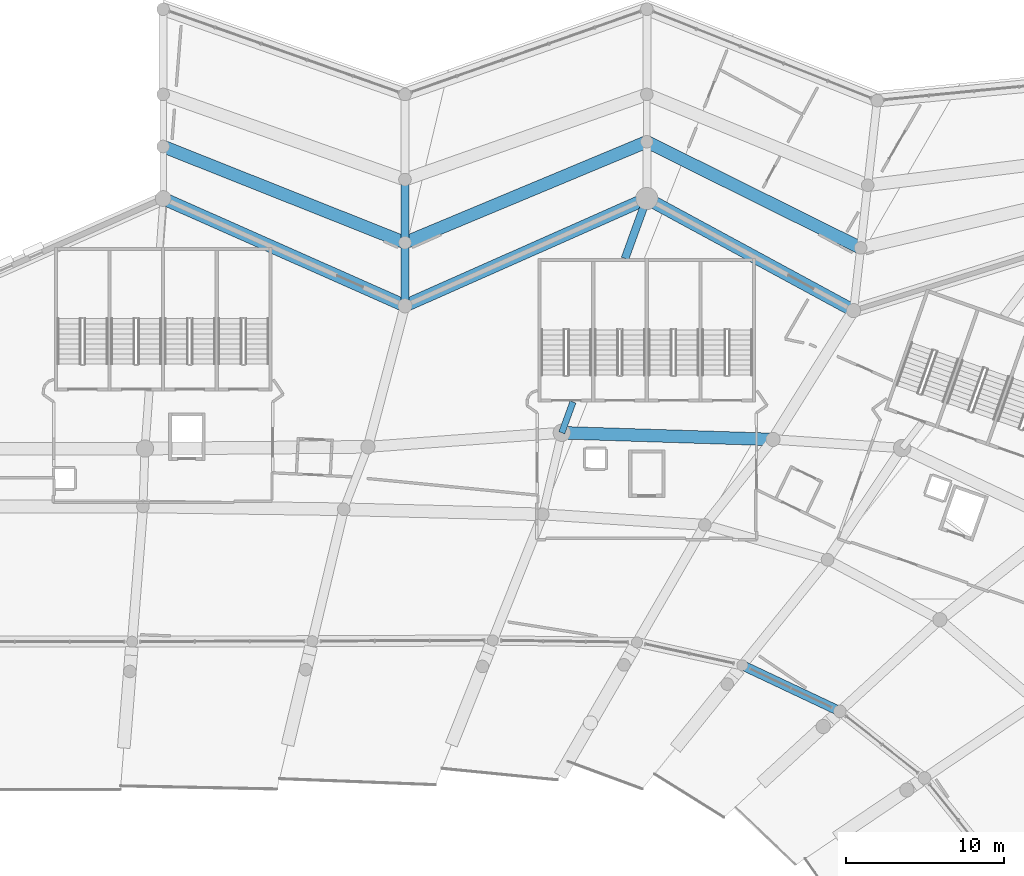
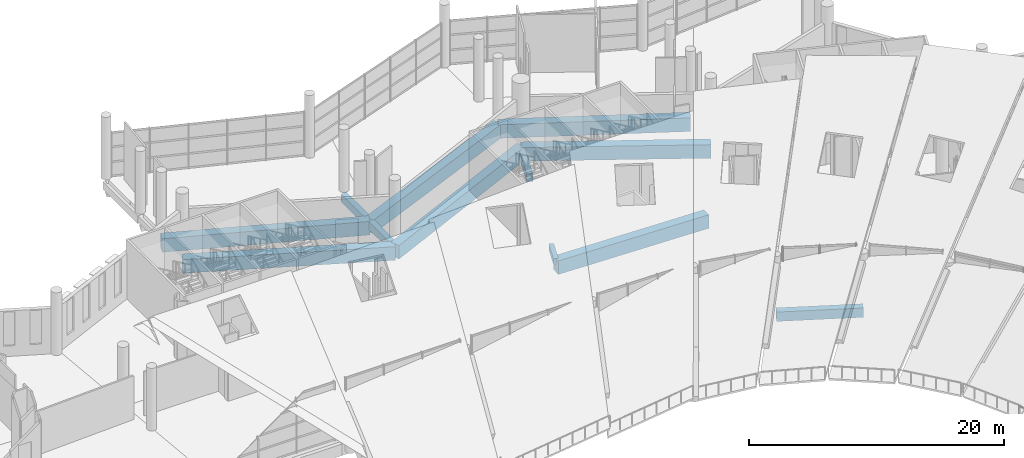
# One storey, part 88 of 249: 12 beams.
"""IFC4 building model written with IfcOpenShell, lengths in metres."""

from ifc_helpers import new_model, si_unit, direction, frame, origin, origin_2d, place, context, subcontext, project, spatial, rectangle, extrude, material, material_profile, profile_set, type_object, element, save


model = new_model("IFC4")

# Units and contexts
model_context = context("Model", 3, precision=1e-05, world=origin(), true_north=direction((0.0, 1.0)))
body_context = subcontext(model_context, "Body", "Model", "MODEL_VIEW")
ifc_project = project(units=[si_unit("LENGTHUNIT", "METRE"), si_unit("AREAUNIT", "SQUARE_METRE"), si_unit("VOLUMEUNIT", "CUBIC_METRE"), si_unit("PLANEANGLEUNIT", "RADIAN"), si_unit("MASSUNIT", "GRAM", prefix="KILO")], contexts=[model_context])

# Site, building, storey
site_placement = place(None, origin())
site = spatial("IfcSite", under=ifc_project, at=site_placement, CompositionType="ELEMENT")
building_placement = place(site_placement, origin())
building = spatial("IfcBuilding", under=site, at=building_placement, Name="Meseta Stadium", CompositionType="ELEMENT")
storey_placement = place(building_placement, frame((0.0, 0.0, 12.0)))
storey = spatial("IfcBuildingStorey", under=building, at=storey_placement, Name="L02", CompositionType="ELEMENT", Elevation=12.0)

# Beams
ifc_material_1 = material(Name="Concrete C40/50", Category="concrete")
ifc_material_profile_1 = material_profile(ifc_material_1, rectangle(XDim=0.39990234375, YDim=0.60009765625, at=origin_2d()), Name="RC 400x600")
ifc_profile_set_1 = profile_set([ifc_material_profile_1], Name="Concrete C40/50")
beam_type_1 = type_object("IfcBeamType", Name="RC beam 400x600", PredefinedType="BEAM", material=ifc_profile_set_1)
beam_1_placement = place(storey_placement, frame((32.944091796875, 90.551025390625, -0.64990234375), z_axis=(0.341128443291, 0.940016694095, 0.0), x_axis=(-0.940016694095, 0.341128443291, 0.0)))
element("IfcBeam", 1, at=beam_1_placement, inside=storey, type_object=beam_type_1, Name="L02 radial beam frame 16 line P to R", PredefinedType="BEAM", context=body_context, shape_type="SweptSolid", body=[
    extrude(rectangle(XDim=0.39990234375, YDim=0.60009765625, at=origin_2d()), origin(), (0.0, 0.0, 1.0), 2.0732421875),
])
ifc_material_2 = material(Name="Concrete C40/50", Category="concrete")
ifc_material_profile_2 = material_profile(ifc_material_2, rectangle(XDim=0.5, YDim=0.75, at=origin_2d()), Name="RC 500x750")
ifc_profile_set_2 = profile_set([ifc_material_profile_2], Name="Concrete C40/50")
beam_type_2 = type_object("IfcBeamType", Name="RC beam 500x750", PredefinedType="BEAM", material=ifc_profile_set_2)
beam_2_placement = place(storey_placement, frame((36.9541015625, 101.60009765625, -0.72509765625), z_axis=(0.341175633366, 0.939999567658, 0.0), x_axis=(-0.939999567658, 0.341175633366, 0.0)))
element("IfcBeam", 2, at=beam_2_placement, inside=storey, type_object=beam_type_2, Name="L02 radial beam frame 16 line P to R", PredefinedType="BEAM", context=body_context, shape_type="SweptSolid", body=[
    extrude(rectangle(XDim=0.5, YDim=0.75, at=origin_2d()), origin(), (0.0, 0.0, 1.0), 4.042236328125),
])
for number, where, z_axis, x_axis, name in (
    (3, (23.0, 98.60009765625, -0.72509765625), (0.0, 1.0, 0.0), (-1.0, 0.0, 0.0), "L02 radial beam frame 17 line R to M"),
    (4, (23.0, 102.60009765625, -0.72509765625), (0.0, 1.0, 0.0), (-1.0, 0.0, 0.0), "L02 radial beam frame 17 line M to Q"),
):
    element("IfcBeam", number, at=place(storey_placement, frame(where, z_axis=z_axis, x_axis=x_axis)), inside=storey, type_object=beam_type_2, Name=name, PredefinedType="BEAM", context=body_context, shape_type="SweptSolid", body=[
        extrude(rectangle(XDim=0.5, YDim=0.75, at=origin_2d()), origin(), (0.0, 0.0, 1.0), 4.0),
    ])
ifc_material_3 = material(Name="Concrete C40/50", Category="concrete")
ifc_material_profile_3 = material_profile(ifc_material_3, rectangle(XDim=0.60009765625, YDim=0.89990234375, at=origin_2d()), Name="RC 600x900")
ifc_profile_set_3 = profile_set([ifc_material_profile_3], Name="Concrete C40/50")
beam_type_3 = type_object("IfcBeamType", Name="RC beam 600x900", PredefinedType="BEAM", material=ifc_profile_set_3)
beam_3_placement = place(storey_placement, frame((50.571533203125, 72.888916015625, -0.800048828125), z_axis=(-0.904340564666, 0.426811601412, 0.0), x_axis=(-0.426811601412, -0.904340564666, 0.0)))
element("IfcBeam", 5, at=beam_3_placement, inside=storey, type_object=beam_type_3, Name="L02 ring beam frame 13 line D", PredefinedType="BEAM", context=body_context, shape_type="SweptSolid", body=[
    extrude(rectangle(XDim=0.60009765625, YDim=0.89990234375, at=origin_2d()), origin(), (0.0, 0.0, 1.0), 6.83544921875),
])
ifc_material_4 = material(Name="Concrete C40/50", Category="concrete")
ifc_material_profile_4 = material_profile(ifc_material_4, rectangle(XDim=0.800048828125, YDim=1.300048828125, at=origin_2d()), Name="RC 800x1300")
ifc_profile_set_4 = profile_set([ifc_material_profile_4], Name="Concrete C40/50")
beam_type_4 = type_object("IfcBeamType", Name="RC beam 800x1300", PredefinedType="BEAM", material=ifc_profile_set_4)
beam_4_placement = place(storey_placement, frame((46.333251953125, 90.126220703125, -1.0), z_axis=(-0.999497062289, 0.031711551154, 0.0), x_axis=(-0.031711551154, -0.999497062289, 0.0)))
element("IfcBeam", 6, at=beam_4_placement, inside=storey, type_object=beam_type_4, Name="L02 ring beam frame 15 line P", PredefinedType="BEAM", context=body_context, shape_type="SweptSolid", body=[
    extrude(rectangle(XDim=0.800048828125, YDim=1.300048828125, at=origin_2d()), origin(), (0.0, 0.0, 1.0), 13.39599609375),
])
beam_5_placement = place(storey_placement, frame((51.44140625, 98.29443359375, -1.0), z_axis=(-0.879145348638, 0.476553728311, 0.0), x_axis=(-0.476553728311, -0.879145348638, 0.0)))
element("IfcBeam", 7, at=beam_5_placement, inside=storey, type_object=beam_type_4, Name="L02 ring beam frame 15 line R", PredefinedType="BEAM", context=body_context, shape_type="SweptSolid", body=[
    extrude(rectangle(XDim=0.800048828125, YDim=1.300048828125, at=origin_2d()), origin(), (0.0, 0.0, 1.0), 14.91015625),
])
for number, where, z_axis, x_axis, name in (
    (8, (38.333251953125, 105.39990234375, -1.0), (-0.914142564088, -0.405392861953, 0.0), (0.405392861953, -0.914142564088, 0.0), "L02 ring beam frame 16 line R"),
    (9, (23.0, 98.60009765625, -1.0), (-0.914142564088, 0.405392861953, 0.0), (-0.405392861953, -0.914142564088, 0.0), "L02 ring beam frame 17 line R"),
):
    element("IfcBeam", number, at=place(storey_placement, frame(where, z_axis=z_axis, x_axis=x_axis)), inside=storey, type_object=beam_type_4, Name=name, PredefinedType="BEAM", context=body_context, shape_type="SweptSolid", body=[
        extrude(rectangle(XDim=0.800048828125, YDim=1.300048828125, at=origin_2d()), origin(), (0.0, 0.0, 1.0), 16.7734375),
    ])
beam_6_placement = place(storey_placement, frame((51.889404296875, 102.269287109375, -1.0), z_axis=(-0.895675432746, 0.444708352941, 0.0), x_axis=(-0.444708352941, -0.895675432746, 0.0)))
element("IfcBeam", 10, at=beam_6_placement, inside=storey, type_object=beam_type_4, Name="L02 ring beam frame 15 line M", PredefinedType="BEAM", context=body_context, shape_type="SweptSolid", body=[
    extrude(rectangle(XDim=0.800048828125, YDim=1.300048828125, at=origin_2d()), origin(), (0.0, 0.0, 1.0), 15.135009765625),
])
beam_7_placement = place(storey_placement, frame((38.333251953125, 109.0, -1.0), z_axis=(-0.922840692895, -0.385181847362, 0.0), x_axis=(0.385181847362, -0.922840692895, 0.0)))
element("IfcBeam", 11, at=beam_7_placement, inside=storey, type_object=beam_type_4, Name="L02 ring beam frame 16 line M", PredefinedType="BEAM", context=body_context, shape_type="SweptSolid", body=[
    extrude(rectangle(XDim=0.800048828125, YDim=1.300048828125, at=origin_2d()), origin(), (0.0, 0.0, 1.0), 16.615234375),
])
beam_8_placement = place(storey_placement, frame((23.0, 102.60009765625, -1.0), z_axis=(-0.929173963419, 0.369642727108, 0.0), x_axis=(-0.369642727108, -0.929173963419, 0.0)))
element("IfcBeam", 12, at=beam_8_placement, inside=storey, type_object=beam_type_4, Name="L02 ring beam frame 17 line M", PredefinedType="BEAM", context=body_context, shape_type="SweptSolid", body=[
    extrude(rectangle(XDim=0.800048828125, YDim=1.300048828125, at=origin_2d()), origin(), (0.0, 0.0, 1.0), 16.501953125),
])

save(model, "model.ifc")
